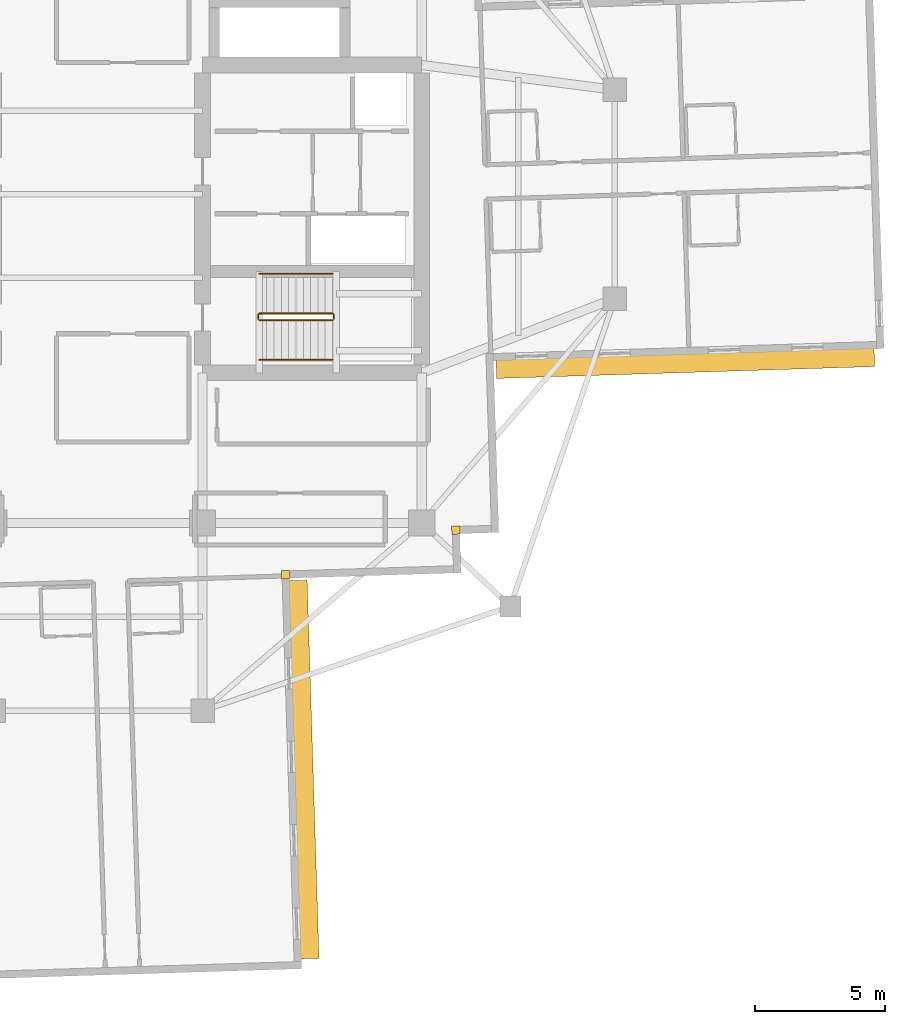
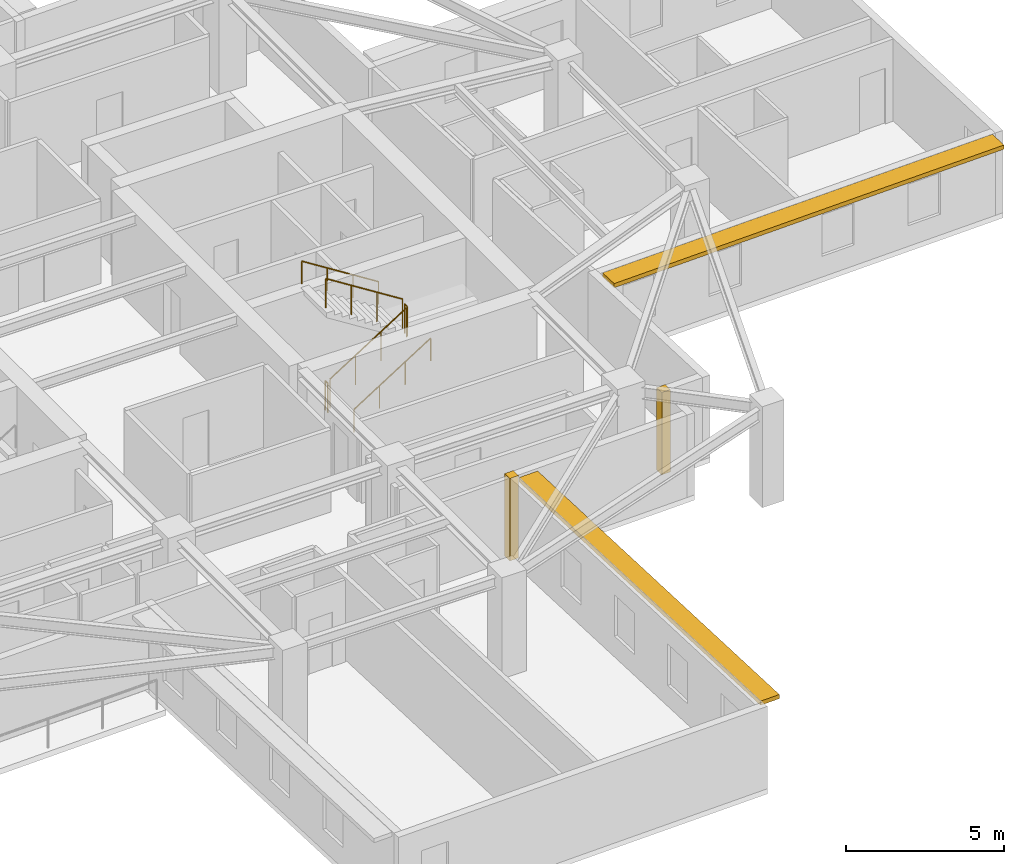
# One storey, part 10 of 12: 6 railings, 2 coverings, 2 shading devices.
"""IFC4 building model written with IfcOpenShell, lengths in metres."""

from ifc_helpers import new_model, si_unit, direction, frame, origin, origin_2d, place, context, subcontext, project, spatial, rectangle, circle, extrude, material, layer, layer_set, type_object, element, save


model = new_model("IFC4")

# Units and contexts
model_context = context("Model", 3, precision=1e-05, world=origin(), true_north=direction((0.0, 1.0)))
body_context = subcontext(model_context, "Body", "Model", "MODEL_VIEW")
ifc_project = project(units=[si_unit("LENGTHUNIT", "METRE"), si_unit("AREAUNIT", "SQUARE_METRE"), si_unit("VOLUMEUNIT", "CUBIC_METRE"), si_unit("PLANEANGLEUNIT", "RADIAN"), si_unit("MASSUNIT", "GRAM", prefix="KILO")], contexts=[model_context])

# Site, building, storey
site_placement = place(None, origin())
site = spatial("IfcSite", under=ifc_project, at=site_placement, CompositionType="ELEMENT")
building_placement = place(site_placement, origin())
building = spatial("IfcBuilding", under=site, at=building_placement, Name="Qingluan Cross Belvedere", CompositionType="ELEMENT")
storey_placement = place(building_placement, frame((0.0, 0.0, 216.89990234375)))
storey = spatial("IfcBuildingStorey", under=building, at=storey_placement, Name="L54", CompositionType="ELEMENT", Elevation=216.89990234375)

# Coverings
ifc_material_1 = material(Name="Precast concrete C45", Category="concrete")
ifc_layer_1 = layer(ifc_material_1, 0.1201171875, Name="ConcreteSpandrelCladding_120")
ifc_layer_set_1 = layer_set([ifc_layer_1], Name="Precast concrete C45")
covering_type = type_object("IfcCoveringType", Name="ConcreteSpandrelCladding_120", PredefinedType="CLADDING", material=ifc_layer_set_1)
for number, where, z_axis, x_axis, name in (
    (1, (13.711181640625, -12.875732421875, 0.0), (0.0, 0.0, 1.0), (0.999506560366, 0.031410759078, 0.0), "Corner closure L54-SE1"),
    (2, (7.181640625, -14.58154296875, 0.0), (0.0, 0.0, 1.0), (0.999506560366, 0.031410759078, 0.0), "Corner closure L54-SE2"),
):
    element("IfcCovering", number, at=place(storey_placement, frame(where, z_axis=z_axis, x_axis=x_axis)), inside=storey, type_object=covering_type, Name=name, PredefinedType="CLADDING", context=body_context, shape_type="SweptSolid", body=[
        extrude(rectangle(XDim=0.320068359375, YDim=0.320068359375, at=origin_2d()), origin(), (0.0, 0.0, 1.0), 3.179931640625),
    ])

# Shading devices
ifc_material_2 = material(Name="Precast concrete C45", Category="concrete")
ifc_layer_2 = layer(ifc_material_2, 0.139892578125, Name="ConcreteSunshadeBand_700")
ifc_layer_set_2 = layer_set([ifc_layer_2], Name="Precast concrete C45")
shading_device_type = type_object("IfcShadingDeviceType", Name="ConcreteSunshadeBand_700", PredefinedType="USERDEFINED", material=ifc_layer_set_2)
for number, where, z_axis, x_axis, name in (
    (3, (22.5048828125, -6.486328125, 3.0), (0.0, 0.0, 1.0), (0.999506645453, 0.031408051437, 0.0), "Concrete SUNSHADE L54-EA"),
    (4, (7.88671875, -22.052978515625, 3.0), (0.0, 0.0, 1.0), (-0.031408051437, 0.999506645453, 0.0), "Concrete SUNSHADE L54-SB"),
):
    element("IfcShadingDevice", number, at=place(storey_placement, frame(where, z_axis=z_axis, x_axis=x_axis)), inside=storey, type_object=shading_device_type, Name=name, ObjectType="SUNSHADE", PredefinedType="USERDEFINED", context=body_context, shape_type="SweptSolid", body=[
        extrude(rectangle(XDim=14.5, YDim=0.699951171875, at=origin_2d()), origin(), (0.0, 0.0, 1.0), 0.159912109375),
    ])

# Railings
ifc_material_3 = material(Name="Brushed stainless steel tubular handrail", Category="steel")
railing_type_1 = type_object("IfcRailingType", Name="StairPitchHandrail_900", PredefinedType="HANDRAIL", material=ifc_material_3)
railing_1_placement = place(storey_placement, frame((6.179931640625, -6.35009765625, 0.177490234375)))
element("IfcRailing", 5, at=railing_1_placement, inside=storey, type_object=railing_type_1, Name="L54 ST2 stair handrail 1", PredefinedType="HANDRAIL", context=body_context, shape_type="SweptSolid", body=[
    extrude(circle(Radius=0.02392578125, at=origin_2d()), frame((0.0, 0.0, 0.8759765625), z_axis=(0.844908973607, 0.0, 0.534910110503), x_axis=(0.0, 1.0, 0.0)), (0.0, 0.0, 1.0), 3.31396484375),
    extrude(circle(Radius=0.02099609375, at=origin_2d()), origin(), (0.0, 0.0, 1.0), 0.851806640625),
    extrude(circle(Radius=0.02099609375, at=origin_2d()), frame((0.933349609375, 0.0, 0.5908203125)), (0.0, 0.0, 1.0), 0.851806640625),
    extrude(circle(Radius=0.02099609375, at=origin_2d()), frame((1.86669921875, 0.0, 1.181884765625)), (0.0, 0.0, 1.0), 0.851806640625),
    extrude(circle(Radius=0.02099609375, at=origin_2d()), frame((2.800048828125, 0.0, 1.772705078125)), (0.0, 0.0, 1.0), 0.851806640625),
])
railing_2_placement = place(storey_placement, frame((8.97998046875, -3.050048828125, 2.12744140625)))
element("IfcRailing", 6, at=railing_2_placement, inside=storey, type_object=railing_type_1, Name="L54 ST2 stair handrail 2", PredefinedType="HANDRAIL", context=body_context, shape_type="SweptSolid", body=[
    extrude(circle(Radius=0.02392578125, at=origin_2d()), frame((0.0, 0.0, 0.8759765625), z_axis=(-0.844908973607, 0.0, 0.534910110503), x_axis=(0.0, -1.0, 0.0)), (0.0, 0.0, 1.0), 3.31396484375),
    extrude(circle(Radius=0.02099609375, at=origin_2d()), origin(), (0.0, 0.0, 1.0), 0.851806640625),
    extrude(circle(Radius=0.02099609375, at=origin_2d()), frame((-0.933349609375, 0.0, 0.5908203125)), (0.0, 0.0, 1.0), 0.851806640625),
    extrude(circle(Radius=0.02099609375, at=origin_2d()), frame((-1.86669921875, 0.0, 1.181884765625)), (0.0, 0.0, 1.0), 0.851806640625),
    extrude(circle(Radius=0.02099609375, at=origin_2d()), frame((-2.800048828125, 0.0, 1.772705078125)), (0.0, 0.0, 1.0), 0.851806640625),
])
ifc_material_4 = material(Name="Painted steel stair well guard", Category="steel")
railing_type_2 = type_object("IfcRailingType", Name="StairWellGuard_1150", PredefinedType="BALUSTRADE", material=ifc_material_4)
railing_3_placement = place(storey_placement, frame((6.179931640625, -4.830078125, 0.177490234375)))
element("IfcRailing", 7, at=railing_3_placement, inside=storey, type_object=railing_type_2, Name="L54 ST2 stair guard 1", PredefinedType="BALUSTRADE", context=body_context, shape_type="SweptSolid", body=[
    extrude(circle(Radius=0.02392578125, at=origin_2d()), frame((0.0, 0.0, 1.1259765625), z_axis=(0.844908973607, 0.0, 0.534910110503), x_axis=(0.0, 1.0, 0.0)), (0.0, 0.0, 1.0), 3.31396484375),
    extrude(circle(Radius=0.02099609375, at=origin_2d()), origin(), (0.0, 0.0, 1.0), 1.101806640625),
    extrude(circle(Radius=0.02099609375, at=origin_2d()), frame((0.933349609375, 0.0, 0.5908203125)), (0.0, 0.0, 1.0), 1.101806640625),
    extrude(circle(Radius=0.02099609375, at=origin_2d()), frame((1.86669921875, 0.0, 1.181884765625)), (0.0, 0.0, 1.0), 1.101806640625),
    extrude(circle(Radius=0.02099609375, at=origin_2d()), frame((2.800048828125, 0.0, 1.772705078125)), (0.0, 0.0, 1.0), 1.101806640625),
])
railing_4_placement = place(storey_placement, frame((9.030029296875, -4.780029296875, 1.9501953125)))
element("IfcRailing", 8, at=railing_4_placement, inside=storey, type_object=railing_type_2, Name="L54 ST2 stair guard 2", PredefinedType="BALUSTRADE", context=body_context, shape_type="SweptSolid", body=[
    extrude(circle(Radius=0.02392578125, at=origin_2d()), frame((0.0, 0.0, 1.1259765625), z_axis=(0.0, 1.0, 0.0), x_axis=(-1.0, 0.0, 0.0)), (0.0, 0.0, 1.0), 0.159912109375),
    extrude(circle(Radius=0.02099609375, at=origin_2d()), origin(), (0.0, 0.0, 1.0), 1.101806640625),
    extrude(circle(Radius=0.02099609375, at=origin_2d()), frame((0.0, 0.159912109375, 0.0)), (0.0, 0.0, 1.0), 1.101806640625),
])
railing_5_placement = place(storey_placement, frame((8.97998046875, -4.570068359375, 2.12744140625)))
element("IfcRailing", 9, at=railing_5_placement, inside=storey, type_object=railing_type_2, Name="L54 ST2 stair guard 3", PredefinedType="BALUSTRADE", context=body_context, shape_type="SweptSolid", body=[
    extrude(circle(Radius=0.02392578125, at=origin_2d()), frame((0.0, 0.0, 1.1259765625), z_axis=(-0.844908973607, 0.0, 0.534910110503), x_axis=(0.0, -1.0, 0.0)), (0.0, 0.0, 1.0), 3.31396484375),
    extrude(circle(Radius=0.02099609375, at=origin_2d()), origin(), (0.0, 0.0, 1.0), 1.101806640625),
    extrude(circle(Radius=0.02099609375, at=origin_2d()), frame((-0.933349609375, 0.0, 0.5908203125)), (0.0, 0.0, 1.0), 1.101806640625),
    extrude(circle(Radius=0.02099609375, at=origin_2d()), frame((-1.86669921875, 0.0, 1.181884765625)), (0.0, 0.0, 1.0), 1.101806640625),
    extrude(circle(Radius=0.02099609375, at=origin_2d()), frame((-2.800048828125, 0.0, 1.772705078125)), (0.0, 0.0, 1.0), 1.101806640625),
])
railing_6_placement = place(storey_placement, frame((6.1298828125, -4.780029296875, 0.0)))
element("IfcRailing", 10, at=railing_6_placement, inside=storey, type_object=railing_type_2, Name="L54 ST2 stair guard 4", PredefinedType="BALUSTRADE", context=body_context, shape_type="SweptSolid", body=[
    extrude(circle(Radius=0.02392578125, at=origin_2d()), frame((0.0, 0.0, 1.1259765625), z_axis=(0.0, 1.0, 0.0), x_axis=(-1.0, 0.0, 0.0)), (0.0, 0.0, 1.0), 0.159912109375),
    extrude(circle(Radius=0.02099609375, at=origin_2d()), origin(), (0.0, 0.0, 1.0), 1.101806640625),
    extrude(circle(Radius=0.02099609375, at=origin_2d()), frame((0.0, 0.159912109375, 0.0)), (0.0, 0.0, 1.0), 1.101806640625),
])

save(model, "model.ifc")
